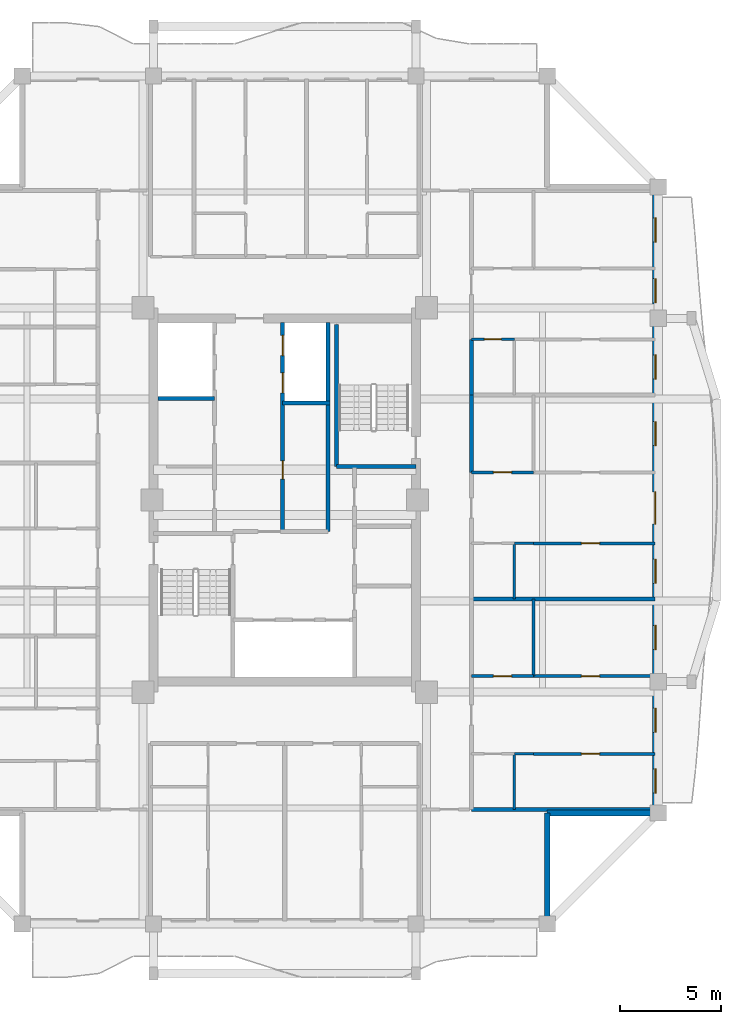
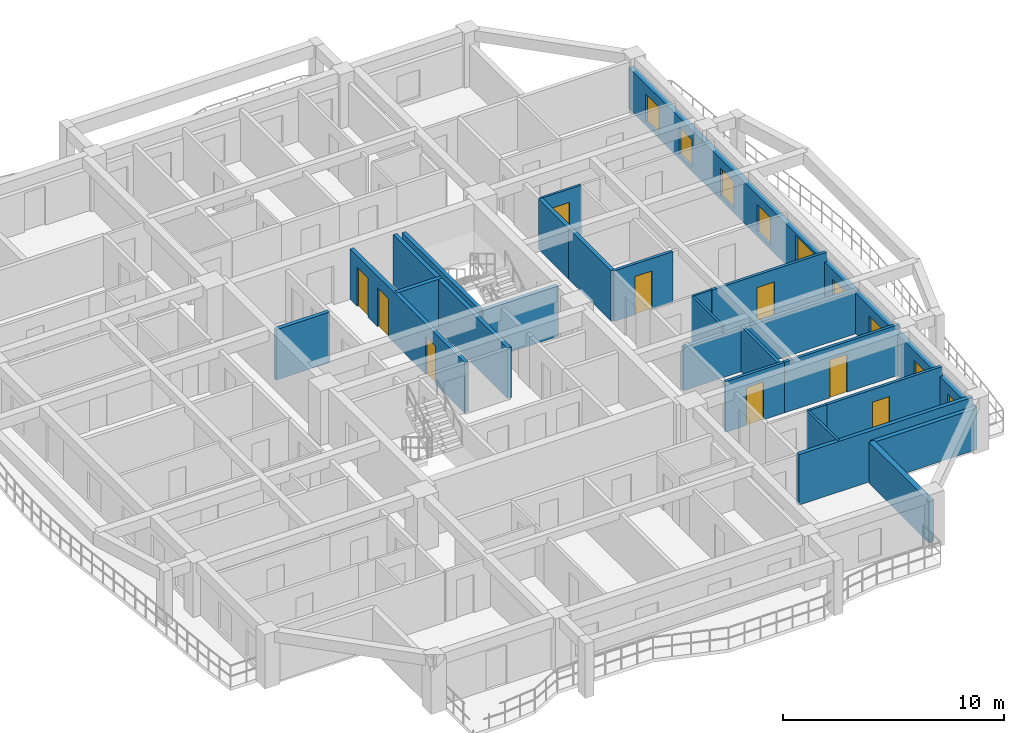
# One storey, part 5 of 13: 25 walls, 10 doors, 8 windows, 18 openings.
"""IFC4 building model written with IfcOpenShell, lengths in metres."""

from ifc_helpers import new_model, si_unit, direction, frame, frame_2d, origin, place, context, subcontext, project, spatial, rectangle, extrude, source, transform, mapped, material, layer, layer_set, type_object, element, fill, save


model = new_model("IFC4")

# Units and contexts
model_context = context("Model", 3, precision=1e-05, world=origin(), true_north=direction((0.0, 1.0)))
body_context = subcontext(model_context, "Body", "Model", "MODEL_VIEW")
ifc_project = project(units=[si_unit("LENGTHUNIT", "METRE"), si_unit("AREAUNIT", "SQUARE_METRE"), si_unit("VOLUMEUNIT", "CUBIC_METRE"), si_unit("PLANEANGLEUNIT", "RADIAN"), si_unit("MASSUNIT", "GRAM", prefix="KILO")], contexts=[model_context])

# Site, building, storey
site_placement = place(None, origin())
site = spatial("IfcSite", under=ifc_project, at=site_placement, CompositionType="ELEMENT")
building_placement = place(site_placement, origin())
building = spatial("IfcBuilding", under=site, at=building_placement, Name="Saelheon Loggia Tower", CompositionType="ELEMENT")
storey_placement = place(building_placement, frame((0.0, 0.0, 199.60009765625)))
storey = spatial("IfcBuildingStorey", under=building, at=storey_placement, Name="L62", CompositionType="ELEMENT", Elevation=199.60009765625)

# Wall, openings, windows, door
ifc_material_1 = material(Name="Architectural Precast Concrete C40/50", Category="concrete")
ifc_layer_1 = layer(ifc_material_1, 0.280029296875)
ifc_layer_set_1 = layer_set([ifc_layer_1], Name="Architectural Precast Concrete C40/50")
wall_type_1 = type_object("IfcWallType", Name="Wall_Ext_Loggia_280", PredefinedType="SOLIDWALL", material=ifc_layer_set_1)
wall_1_placement = place(storey_placement, frame((56.360107421875, 11.5, 0.0), z_axis=(0.0, 0.0, 1.0), x_axis=(0.0, 1.0, 0.0)))
wall_1 = element("IfcWall", 1, at=wall_1_placement, inside=storey, type_object=wall_type_1, Name="L62 East Loggia Inner Wall", PredefinedType="SOLIDWALL", context=body_context, shape_type="SweptSolid", body=[
    extrude(rectangle(XDim=31.0, YDim=0.280029296875, at=frame_2d((15.5, 0.0))), origin(), (0.0, 0.0, 1.0), 2.27978515625),
])
opening_1_placement = place(wall_1_placement, frame((0.985107421875, 0.0, 0.25)))
opening_1 = element("IfcOpeningElement", 2, at=opening_1_placement, cuts=wall_1, Name="Opening WN-03", PredefinedType="OPENING", context=body_context, shape_type="SweptSolid", body=[
    extrude(rectangle(XDim=1.199951171875, YDim=1.5, at=frame_2d((0.60009765625, 0.75))), frame((0.0, 0.152099609375, 0.0), z_axis=(0.0, -1.0, 0.0), x_axis=(1.0, 0.0, 0.0)), (0.0, 0.0, 1.0), 0.303955078125),
])
opening_2_placement = place(wall_1_placement, frame((3.9951171875, 0.0, 0.25)))
opening_2 = element("IfcOpeningElement", 3, at=opening_2_placement, cuts=wall_1, Name="Opening WN-03", PredefinedType="OPENING", context=body_context, shape_type="SweptSolid", body=[
    extrude(rectangle(XDim=1.199951171875, YDim=1.5, at=frame_2d((0.60009765625, 0.75))), frame((0.0, 0.152099609375, 0.0), z_axis=(0.0, -1.0, 0.0), x_axis=(1.0, 0.0, 0.0)), (0.0, 0.0, 1.0), 0.303955078125),
])
opening_3_placement = place(wall_1_placement, frame((8.0888671875, 0.0, 0.25)))
opening_3 = element("IfcOpeningElement", 4, at=opening_3_placement, cuts=wall_1, Name="Opening WN-03", PredefinedType="OPENING", context=body_context, shape_type="SweptSolid", body=[
    extrude(rectangle(XDim=1.199951171875, YDim=1.5, at=frame_2d((0.60009765625, 0.75))), frame((0.0, 0.152099609375, 0.0), z_axis=(0.0, -1.0, 0.0), x_axis=(1.0, 0.0, 0.0)), (0.0, 0.0, 1.0), 0.303955078125),
])
opening_4_placement = place(wall_1_placement, frame((11.37255859375, 0.0, 0.25)))
opening_4 = element("IfcOpeningElement", 5, at=opening_4_placement, cuts=wall_1, Name="Opening WN-03", PredefinedType="OPENING", context=body_context, shape_type="SweptSolid", body=[
    extrude(rectangle(XDim=1.199951171875, YDim=1.5, at=frame_2d((0.60009765625, 0.75))), frame((0.0, 0.152099609375, 0.0), z_axis=(0.0, -1.0, 0.0), x_axis=(1.0, 0.0, 0.0)), (0.0, 0.0, 1.0), 0.303955078125),
])
opening_5_placement = place(wall_1_placement, frame((15.906982421875, 0.0, 0.0), z_axis=(0.0, 0.0, 1.0), x_axis=(-1.0, 0.0, 0.0)))
opening_5 = element("IfcOpeningElement", 6, at=opening_5_placement, cuts=wall_1, Name="Opening DLG-1", PredefinedType="OPENING", context=body_context, shape_type="SweptSolid", body=[
    extrude(rectangle(XDim=1.60009765625, YDim=2.14990234375, at=frame_2d((0.800048828125, 1.074951171875))), frame((0.0, 0.152099609375, 0.0), z_axis=(0.0, -1.0, 0.0), x_axis=(1.0, 0.0, 0.0)), (0.0, 0.0, 1.0), 0.303955078125),
])
opening_6_placement = place(wall_1_placement, frame((18.1875, 0.0, 0.25)))
opening_6 = element("IfcOpeningElement", 7, at=opening_6_placement, cuts=wall_1, Name="Opening WN-03", PredefinedType="OPENING", context=body_context, shape_type="SweptSolid", body=[
    extrude(rectangle(XDim=1.199951171875, YDim=1.5, at=frame_2d((0.60009765625, 0.75))), frame((0.0, 0.152099609375, 0.0), z_axis=(0.0, -1.0, 0.0), x_axis=(1.0, 0.0, 0.0)), (0.0, 0.0, 1.0), 0.303955078125),
])
opening_7_placement = place(wall_1_placement, frame((21.48388671875, 0.0, 0.25)))
opening_7 = element("IfcOpeningElement", 8, at=opening_7_placement, cuts=wall_1, Name="Opening WN-03", PredefinedType="OPENING", context=body_context, shape_type="SweptSolid", body=[
    extrude(rectangle(XDim=1.199951171875, YDim=1.5, at=frame_2d((0.60009765625, 0.75))), frame((0.0, 0.152099609375, 0.0), z_axis=(0.0, -1.0, 0.0), x_axis=(1.0, 0.0, 0.0)), (0.0, 0.0, 1.0), 0.303955078125),
])
opening_8_placement = place(wall_1_placement, frame((25.2587890625, 0.0, 0.25)))
opening_8 = element("IfcOpeningElement", 9, at=opening_8_placement, cuts=wall_1, Name="Opening WN-03", PredefinedType="OPENING", context=body_context, shape_type="SweptSolid", body=[
    extrude(rectangle(XDim=1.199951171875, YDim=1.5, at=frame_2d((0.60009765625, 0.75))), frame((0.0, 0.152099609375, 0.0), z_axis=(0.0, -1.0, 0.0), x_axis=(1.0, 0.0, 0.0)), (0.0, 0.0, 1.0), 0.303955078125),
])
opening_9_placement = place(wall_1_placement, frame((28.268798828125, 0.0, 0.25)))
opening_9 = element("IfcOpeningElement", 10, at=opening_9_placement, cuts=wall_1, Name="Opening WN-03", PredefinedType="OPENING", context=body_context, shape_type="SweptSolid", body=[
    extrude(rectangle(XDim=1.199951171875, YDim=1.5, at=frame_2d((0.60009765625, 0.75))), frame((0.0, 0.152099609375, 0.0), z_axis=(0.0, -1.0, 0.0), x_axis=(1.0, 0.0, 0.0)), (0.0, 0.0, 1.0), 0.303955078125),
])
ifc_material_2 = material(Name="Thermal-Break Aluminium and Triple Low-E Glass", Category="aluminium")
window_type = type_object("IfcWindowType", Name="Win_Bedroom_1200x1500", PartitioningType="SINGLE_PANEL", PredefinedType="WINDOW", material=ifc_material_2)
shared_shape_1 = source(origin(), body_context, "Body", "SweptSolid", [
    extrude(rectangle(XDim=1.199951171875, YDim=1.5, at=frame_2d((0.60009765625, 0.75))), frame((0.0, 0.030029296875, 0.0), z_axis=(0.0, -1.0, 0.0), x_axis=(1.0, 0.0, 0.0)), (0.0, 0.0, 1.0), 0.06005859375),
])
window_1_placement = place(opening_1_placement, origin())
window_1 = element("IfcWindow", 11, at=window_1_placement, inside=storey, type_object=window_type, Name="L62 E Dwelling Window 1", OverallHeight=1.5, OverallWidth=1.199951171875, PartitioningType="SINGLE_PANEL", PredefinedType="WINDOW", context=body_context, shape_type="MappedRepresentation", body=[
    mapped(shared_shape_1, transform((0.0, 0.0, 0.0), scale=1.0)),
])
fill(opening_1, window_1)
window_2_placement = place(opening_2_placement, origin())
window_2 = element("IfcWindow", 12, at=window_2_placement, inside=storey, type_object=window_type, Name="L62 E Dwelling Window 2", OverallHeight=1.5, OverallWidth=1.199951171875, PartitioningType="SINGLE_PANEL", PredefinedType="WINDOW", context=body_context, shape_type="MappedRepresentation", body=[
    mapped(shared_shape_1, transform((0.0, 0.0, 0.0), scale=1.0)),
])
fill(opening_2, window_2)
window_3_placement = place(opening_3_placement, origin())
window_3 = element("IfcWindow", 13, at=window_3_placement, inside=storey, type_object=window_type, Name="L62 E Dwelling Window 3", OverallHeight=1.5, OverallWidth=1.199951171875, PartitioningType="SINGLE_PANEL", PredefinedType="WINDOW", context=body_context, shape_type="MappedRepresentation", body=[
    mapped(shared_shape_1, transform((0.0, 0.0, 0.0), scale=1.0)),
])
fill(opening_3, window_3)
window_4_placement = place(opening_4_placement, origin())
window_4 = element("IfcWindow", 14, at=window_4_placement, inside=storey, type_object=window_type, Name="L62 E Dwelling Window 4", OverallHeight=1.5, OverallWidth=1.199951171875, PartitioningType="SINGLE_PANEL", PredefinedType="WINDOW", context=body_context, shape_type="MappedRepresentation", body=[
    mapped(shared_shape_1, transform((0.0, 0.0, 0.0), scale=1.0)),
])
fill(opening_4, window_4)
window_5_placement = place(opening_6_placement, origin())
window_5 = element("IfcWindow", 15, at=window_5_placement, inside=storey, type_object=window_type, Name="L62 E Dwelling Window 6", OverallHeight=1.5, OverallWidth=1.199951171875, PartitioningType="SINGLE_PANEL", PredefinedType="WINDOW", context=body_context, shape_type="MappedRepresentation", body=[
    mapped(shared_shape_1, transform((0.0, 0.0, 0.0), scale=1.0)),
])
fill(opening_6, window_5)
window_6_placement = place(opening_7_placement, origin())
window_6 = element("IfcWindow", 16, at=window_6_placement, inside=storey, type_object=window_type, Name="L62 E Dwelling Window 7", OverallHeight=1.5, OverallWidth=1.199951171875, PartitioningType="SINGLE_PANEL", PredefinedType="WINDOW", context=body_context, shape_type="MappedRepresentation", body=[
    mapped(shared_shape_1, transform((0.0, 0.0, 0.0), scale=1.0)),
])
fill(opening_7, window_6)
window_7_placement = place(opening_8_placement, origin())
window_7 = element("IfcWindow", 17, at=window_7_placement, inside=storey, type_object=window_type, Name="L62 E Dwelling Window 8", OverallHeight=1.5, OverallWidth=1.199951171875, PartitioningType="SINGLE_PANEL", PredefinedType="WINDOW", context=body_context, shape_type="MappedRepresentation", body=[
    mapped(shared_shape_1, transform((0.0, 0.0, 0.0), scale=1.0)),
])
fill(opening_8, window_7)
window_8_placement = place(opening_9_placement, origin())
window_8 = element("IfcWindow", 18, at=window_8_placement, inside=storey, type_object=window_type, Name="L62 E Dwelling Window 9", OverallHeight=1.5, OverallWidth=1.199951171875, PartitioningType="SINGLE_PANEL", PredefinedType="WINDOW", context=body_context, shape_type="MappedRepresentation", body=[
    mapped(shared_shape_1, transform((0.0, 0.0, 0.0), scale=1.0)),
])
fill(opening_9, window_8)
ifc_material_3 = material(Name="Thermal-Break Aluminium Sliding Glazed Door", Category="aluminium")
door_type_1 = type_object("IfcDoorType", Name="Door_LoggiaSlide_1600", OperationType="SLIDING_TO_LEFT", PredefinedType="DOOR", material=ifc_material_3)
shared_shape_2 = source(origin(), body_context, "Body", "SweptSolid", [
    extrude(rectangle(XDim=1.60009765625, YDim=2.14990234375, at=frame_2d((0.800048828125, 1.074951171875))), frame((0.0, 0.02490234375, 0.0), z_axis=(0.0, -1.0, 0.0), x_axis=(1.0, 0.0, 0.0)), (0.0, 0.0, 1.0), 0.050048828125),
])
door_1_placement = place(opening_5_placement, origin())
door_1 = element("IfcDoor", 19, at=door_1_placement, inside=storey, type_object=door_type_1, Name="L62 E Loggia Access Door", OperationType="SLIDING_TO_LEFT", OverallHeight=2.14990234375, OverallWidth=1.60009765625, PredefinedType="DOOR", context=body_context, shape_type="MappedRepresentation", body=[
    mapped(shared_shape_2, transform((0.0, 0.0, 0.0), scale=1.0)),
])
fill(opening_5, door_1)

# Walls
for number, where, z_axis, x_axis, name in (
    (20, (51.0, 6.080078125, 0.0), (0.0, 0.0, 1.0), (0.0, 1.0, 0.0), "L62 Corner Notch Precast Wall SE1"),
    (21, (51.0, 11.5, 0.0), (0.0, 0.0, 1.0), (1.0, 0.0, 0.0), "L62 Corner Notch Precast Wall SE2"),
):
    element("IfcWall", number, at=place(storey_placement, frame(where, z_axis=z_axis, x_axis=x_axis)), inside=storey, type_object=wall_type_1, Name=name, PredefinedType="SOLIDWALL", context=body_context, shape_type="SweptSolid", body=[
        extrude(rectangle(XDim=5.419921875, YDim=0.280029296875, at=frame_2d((2.7099609375, 0.0))), origin(), (0.0, 0.0, 1.0), 2.27978515625),
    ])
ifc_material_4 = material(Name="Lightweight Autoclaved Aerated Concrete Block and Acoustic Gypsum", Category="concrete")
ifc_layer_2 = layer(ifc_material_4, 0.14990234375)
ifc_layer_set_2 = layer_set([ifc_layer_2], Name="Lightweight Autoclaved Aerated Concrete Block and Acoustic Gypsum")
wall_type_2 = type_object("IfcWallType", Name="Wall_Part_150", PredefinedType="PARTITIONING", material=ifc_layer_set_2)
wall_2_placement = place(storey_placement, frame((50.330078125, 18.280029296875, 0.0), z_axis=(0.0, 0.0, 1.0), x_axis=(0.0, 1.0, 0.0)))
element("IfcWall", 22, at=wall_2_placement, inside=storey, type_object=wall_type_2, Name="L62 E Partition V07", PredefinedType="PARTITIONING", context=body_context, shape_type="SweptSolid", body=[
    extrude(rectangle(XDim=3.817626953125, YDim=0.14990234375, at=frame_2d((1.90869140625, 0.0))), origin(), (0.0, 0.0, 1.0), 2.489990234375),
])

# Wall, opening, door
wall_3_placement = place(storey_placement, frame((50.330078125, 14.429931640625, 0.0), z_axis=(0.0, 0.0, 1.0), x_axis=(1.0, 0.0, 0.0)))
wall_3 = element("IfcWall", 23, at=wall_3_placement, inside=storey, type_object=wall_type_2, Name="L62 E Partition U10", PredefinedType="PARTITIONING", context=body_context, shape_type="SweptSolid", body=[
    extrude(rectangle(XDim=6.02001953125, YDim=0.14990234375, at=frame_2d((3.010009765625, 0.0))), origin(), (0.0, 0.0, 1.0), 2.789794921875),
])
opening_10_placement = place(wall_3_placement, frame((2.36669921875, 0.0, 0.0)))
opening_10 = element("IfcOpeningElement", 24, at=opening_10_placement, cuts=wall_3, Name="Opening D-IN2", PredefinedType="OPENING", context=body_context, shape_type="SweptSolid", body=[
    extrude(rectangle(XDim=0.89990234375, YDim=2.10009765625, at=frame_2d((0.449951171875, 1.050048828125))), frame((0.0, 0.0869140625, 0.0), z_axis=(0.0, -1.0, 0.0), x_axis=(1.0, 0.0, 0.0)), (0.0, 0.0, 1.0), 0.173828125),
])
ifc_material_5 = material(Name="Engineered Oak Flush Door", Category="timber")
door_type_2 = type_object("IfcDoorType", Name="Door_Int_900", OperationType="NOTDEFINED", PredefinedType="DOOR", material=ifc_material_5)
shared_shape_3 = source(origin(), body_context, "Body", "SweptSolid", [
    extrude(rectangle(XDim=0.89990234375, YDim=2.10009765625, at=frame_2d((0.449951171875, 1.050048828125))), frame((0.0, 0.02490234375, 0.0), z_axis=(0.0, -1.0, 0.0), x_axis=(1.0, 0.0, 0.0)), (0.0, 0.0, 1.0), 0.050048828125),
])
door_2_placement = place(opening_10_placement, origin())
door_2 = element("IfcDoor", 25, at=door_2_placement, inside=storey, type_object=door_type_2, Name="Unit U09 Kitchen Door", OperationType="SINGLE_SWING_LEFT", OverallHeight=2.10009765625, OverallWidth=0.89990234375, PredefinedType="DOOR", context=body_context, shape_type="MappedRepresentation", body=[
    mapped(shared_shape_3, transform((0.0, 0.0, 0.0), scale=1.0)),
])
fill(opening_10, door_2)

wall_4_placement = place(storey_placement, frame((47.25, 18.280029296875, 0.0), z_axis=(0.0, 0.0, 1.0), x_axis=(1.0, 0.0, 0.0)))
wall_4 = element("IfcWall", 26, at=wall_4_placement, inside=storey, type_object=wall_type_2, Name="L62 E Partition U11", PredefinedType="PARTITIONING", context=body_context, shape_type="SweptSolid", body=[
    extrude(rectangle(XDim=3.080078125, YDim=0.14990234375, at=frame_2d((1.5400390625, 0.0))), origin(), (0.0, 0.0, 1.0), 2.789794921875),
])
opening_11_placement = place(wall_4_placement, frame((1.090087890625, 0.0, 0.0)))
opening_11 = element("IfcOpeningElement", 27, at=opening_11_placement, cuts=wall_4, Name="Opening D-IN2", PredefinedType="OPENING", context=body_context, shape_type="SweptSolid", body=[
    extrude(rectangle(XDim=0.89990234375, YDim=2.10009765625, at=frame_2d((0.449951171875, 1.050048828125))), frame((0.0, 0.0869140625, 0.0), z_axis=(0.0, -1.0, 0.0), x_axis=(1.0, 0.0, 0.0)), (0.0, 0.0, 1.0), 0.173828125),
])
door_3_placement = place(opening_11_placement, origin())
door_3 = element("IfcDoor", 28, at=door_3_placement, inside=storey, type_object=door_type_2, Name="Unit U09 Home Office Door", OperationType="SINGLE_SWING_RIGHT", OverallHeight=2.10009765625, OverallWidth=0.89990234375, PredefinedType="DOOR", context=body_context, shape_type="MappedRepresentation", body=[
    mapped(shared_shape_3, transform((0.0, 0.0, 0.0), scale=1.0)),
])
fill(opening_11, door_3)

wall_5_placement = place(storey_placement, frame((50.330078125, 18.280029296875, 0.0), z_axis=(0.0, 0.0, 1.0), x_axis=(1.0, 0.0, 0.0)))
wall_5 = element("IfcWall", 29, at=wall_5_placement, inside=storey, type_object=wall_type_2, Name="L62 E Partition U12", PredefinedType="PARTITIONING", context=body_context, shape_type="SweptSolid", body=[
    extrude(rectangle(XDim=6.02001953125, YDim=0.14990234375, at=frame_2d((3.010009765625, 0.0))), origin(), (0.0, 0.0, 1.0), 2.789794921875),
])
opening_12_placement = place(wall_5_placement, frame((2.36669921875, 0.0, 0.0)))
opening_12 = element("IfcOpeningElement", 30, at=opening_12_placement, cuts=wall_5, Name="Opening D-IN2", PredefinedType="OPENING", context=body_context, shape_type="SweptSolid", body=[
    extrude(rectangle(XDim=0.89990234375, YDim=2.10009765625, at=frame_2d((0.449951171875, 1.050048828125))), frame((0.0, 0.0869140625, 0.0), z_axis=(0.0, -1.0, 0.0), x_axis=(1.0, 0.0, 0.0)), (0.0, 0.0, 1.0), 0.173828125),
])
door_4_placement = place(opening_12_placement, origin())
door_4 = element("IfcDoor", 31, at=door_4_placement, inside=storey, type_object=door_type_2, Name="Unit U09 Bedroom 1 Door", OperationType="SINGLE_SWING_LEFT", OverallHeight=2.10009765625, OverallWidth=0.89990234375, PredefinedType="DOOR", context=body_context, shape_type="MappedRepresentation", body=[
    mapped(shared_shape_3, transform((0.0, 0.0, 0.0), scale=1.0)),
])
fill(opening_12, door_4)

wall_6_placement = place(storey_placement, frame((50.330078125, 24.84765625, 0.0), z_axis=(0.0, 0.0, 1.0), x_axis=(1.0, 0.0, 0.0)))
wall_6 = element("IfcWall", 32, at=wall_6_placement, inside=storey, type_object=wall_type_2, Name="L62 E Partition U21", PredefinedType="PARTITIONING", context=body_context, shape_type="SweptSolid", body=[
    extrude(rectangle(XDim=6.02001953125, YDim=0.14990234375, at=frame_2d((3.010009765625, 0.0))), origin(), (0.0, 0.0, 1.0), 2.789794921875),
])
opening_13_placement = place(wall_6_placement, frame((2.36669921875, 0.0, 0.0)))
opening_13 = element("IfcOpeningElement", 33, at=opening_13_placement, cuts=wall_6, Name="Opening D-IN2", PredefinedType="OPENING", context=body_context, shape_type="SweptSolid", body=[
    extrude(rectangle(XDim=0.89990234375, YDim=2.10009765625, at=frame_2d((0.449951171875, 1.050048828125))), frame((0.0, 0.0869140625, 0.0), z_axis=(0.0, -1.0, 0.0), x_axis=(1.0, 0.0, 0.0)), (0.0, 0.0, 1.0), 0.173828125),
])
door_5_placement = place(opening_13_placement, origin())
door_5 = element("IfcDoor", 34, at=door_5_placement, inside=storey, type_object=door_type_2, Name="Unit U10 Kitchen Door", OperationType="SINGLE_SWING_RIGHT", OverallHeight=2.10009765625, OverallWidth=0.89990234375, PredefinedType="DOOR", context=body_context, shape_type="MappedRepresentation", body=[
    mapped(shared_shape_3, transform((0.0, 0.0, 0.0), scale=1.0)),
])
fill(opening_13, door_5)

wall_7_placement = place(storey_placement, frame((47.25, 28.366455078125, 0.0), z_axis=(0.0, 0.0, 1.0), x_axis=(1.0, 0.0, 0.0)))
wall_7 = element("IfcWall", 35, at=wall_7_placement, inside=storey, type_object=wall_type_2, Name="L62 E Partition U22", PredefinedType="PARTITIONING", context=body_context, shape_type="SweptSolid", body=[
    extrude(rectangle(XDim=3.080078125, YDim=0.14990234375, at=frame_2d((1.5400390625, 0.0))), origin(), (0.0, 0.0, 1.0), 2.789794921875),
])
opening_14_placement = place(wall_7_placement, frame((1.090087890625, 0.0, 0.0)))
opening_14 = element("IfcOpeningElement", 36, at=opening_14_placement, cuts=wall_7, Name="Opening D-IN2", PredefinedType="OPENING", context=body_context, shape_type="SweptSolid", body=[
    extrude(rectangle(XDim=0.89990234375, YDim=2.10009765625, at=frame_2d((0.449951171875, 1.050048828125))), frame((0.0, 0.0869140625, 0.0), z_axis=(0.0, -1.0, 0.0), x_axis=(1.0, 0.0, 0.0)), (0.0, 0.0, 1.0), 0.173828125),
])
door_6_placement = place(opening_14_placement, origin())
door_6 = element("IfcDoor", 37, at=door_6_placement, inside=storey, type_object=door_type_2, Name="Unit U10 Home Office Door", OperationType="SINGLE_SWING_LEFT", OverallHeight=2.10009765625, OverallWidth=0.89990234375, PredefinedType="DOOR", context=body_context, shape_type="MappedRepresentation", body=[
    mapped(shared_shape_3, transform((0.0, 0.0, 0.0), scale=1.0)),
])
fill(opening_14, door_6)

# Walls
ifc_material_6 = material(Name="Double Acoustic Stud and Fireboard Partition", Category="gypsum")
ifc_layer_3 = layer(ifc_material_6, 0.199951171875)
ifc_layer_set_3 = layer_set([ifc_layer_3], Name="Double Acoustic Stud and Fireboard Partition")
wall_type_3 = type_object("IfcWallType", Name="Wall_Party_200", PredefinedType="PARTITIONING", material=ifc_layer_set_3)
wall_8_placement = place(storey_placement, frame((47.25, 11.679931640625, 0.0), z_axis=(0.0, 0.0, 1.0), x_axis=(1.0, 0.0, 0.0)))
element("IfcWall", 38, at=wall_8_placement, inside=storey, type_object=wall_type_3, Name="L62 E Partition U01", PredefinedType="PARTITIONING", context=body_context, shape_type="SweptSolid", body=[
    extrude(rectangle(XDim=9.10009765625, YDim=0.199951171875, at=frame_2d((4.550048828125, 0.0))), origin(), (0.0, 0.0, 1.0), 2.789794921875),
])
wall_9_placement = place(storey_placement, frame((47.25, 22.09765625, 0.0), z_axis=(0.0, 0.0, 1.0), x_axis=(1.0, 0.0, 0.0)))
element("IfcWall", 39, at=wall_9_placement, inside=storey, type_object=wall_type_3, Name="L62 E Partition U13", PredefinedType="PARTITIONING", context=body_context, shape_type="SweptSolid", body=[
    extrude(rectangle(XDim=9.10009765625, YDim=0.199951171875, at=frame_2d((4.550048828125, 0.0))), origin(), (0.0, 0.0, 1.0), 2.389892578125),
])
wall_10_placement = place(storey_placement, frame((47.25, 28.366455078125, 0.0), z_axis=(0.0, 0.0, 1.0), x_axis=(0.0, 1.0, 0.0)))
element("IfcWall", 40, at=wall_10_placement, inside=storey, type_object=wall_type_3, Name="L62 E Partition V16", PredefinedType="PARTITIONING", context=body_context, shape_type="SweptSolid", body=[
    extrude(rectangle(XDim=3.84228515625, YDim=0.199951171875, at=frame_2d((1.921142578125, 0.0))), origin(), (0.0, 0.0, 1.0), 2.789794921875),
])
wall_11_placement = place(storey_placement, frame((47.25, 32.208740234375, 0.0), z_axis=(0.0, 0.0, 1.0), x_axis=(0.0, 1.0, 0.0)))
element("IfcWall", 41, at=wall_11_placement, inside=storey, type_object=wall_type_3, Name="L62 E Partition V25", PredefinedType="PARTITIONING", context=body_context, shape_type="SweptSolid", body=[
    extrude(rectangle(XDim=2.75, YDim=0.199951171875, at=frame_2d((1.375, 0.0))), origin(), (0.0, 0.0, 1.0), 2.789794921875),
])
ifc_material_7 = material(Name="Concrete C40/50", Category="concrete")
ifc_layer_4 = layer(ifc_material_7, 0.199951171875)
ifc_layer_set_4 = layer_set([ifc_layer_4], Name="Concrete C40/50")
wall_type_4 = type_object("IfcWallType", Name="Wall_Shaft_200", PredefinedType="PARTITIONING", material=ifc_layer_set_4)
wall_12_placement = place(storey_placement, frame((40.14990234375, 25.43994140625, 0.0), z_axis=(0.0, 0.0, 1.0), x_axis=(0.0, 1.0, 0.0)))
element("IfcWall", 42, at=wall_12_placement, inside=storey, type_object=wall_type_4, Name="L62 Core Service Passage West Wall", PredefinedType="PARTITIONING", context=body_context, shape_type="SweptSolid", body=[
    extrude(rectangle(XDim=6.360107421875, YDim=0.199951171875, at=frame_2d((3.18017578125, 0.0))), origin(), (0.0, 0.0, 1.0), 2.789794921875),
])
wall_13_placement = place(storey_placement, frame((40.14990234375, 31.800048828125, 0.0), z_axis=(0.0, 0.0, 1.0), x_axis=(0.0, 1.0, 0.0)))
element("IfcWall", 43, at=wall_13_placement, inside=storey, type_object=wall_type_4, Name="L62 East High-Rise Hoistway East Wall", PredefinedType="PARTITIONING", context=body_context, shape_type="SweptSolid", body=[
    extrude(rectangle(XDim=3.97998046875, YDim=0.199951171875, at=frame_2d((1.989990234375, 0.0))), origin(), (0.0, 0.0, 1.0), 2.789794921875),
])
wall_14_placement = place(storey_placement, frame((31.719970703125, 32.02001953125, 0.0), z_axis=(0.0, 0.0, 1.0), x_axis=(1.0, 0.0, 0.0)))
element("IfcWall", 44, at=wall_14_placement, inside=storey, type_object=wall_type_4, Name="L62 West High-Rise Shaft Divider", PredefinedType="PARTITIONING", context=body_context, shape_type="SweptSolid", body=[
    extrude(rectangle(XDim=2.800048828125, YDim=0.199951171875, at=frame_2d((1.39990234375, 0.0))), origin(), (0.0, 0.0, 1.0), 2.789794921875),
])

# Wall, openings, doors
wall_15_placement = place(storey_placement, frame((37.89990234375, 25.43994140625, 0.0), z_axis=(0.0, 0.0, 1.0), x_axis=(0.0, 1.0, 0.0)))
wall_15 = element("IfcWall", 45, at=wall_15_placement, inside=storey, type_object=wall_type_4, Name="L62 East Passenger Lift Bank Wall", PredefinedType="PARTITIONING", context=body_context, shape_type="SweptSolid", body=[
    extrude(rectangle(XDim=10.340087890625, YDim=0.199951171875, at=frame_2d((5.169921875, 0.0))), origin(), (0.0, 0.0, 1.0), 2.789794921875),
])
opening_15_placement = place(wall_15_placement, frame((2.60009765625, 0.0, 0.0)))
opening_15 = element("IfcOpeningElement", 46, at=opening_15_placement, cuts=wall_15, Name="Opening D-RS1", PredefinedType="OPENING", context=body_context, shape_type="SweptSolid", body=[
    extrude(rectangle(XDim=0.89990234375, YDim=2.10009765625, at=frame_2d((0.449951171875, 1.050048828125))), frame((0.0, 0.112060546875, 0.0), z_axis=(0.0, -1.0, 0.0), x_axis=(1.0, 0.0, 0.0)), (0.0, 0.0, 1.0), 0.223876953125),
])
opening_16_placement = place(wall_15_placement, frame((6.860107421875, 0.0, 0.0)))
opening_16 = element("IfcOpeningElement", 47, at=opening_16_placement, cuts=wall_15, Name="Opening LD1", PredefinedType="OPENING", context=body_context, shape_type="SweptSolid", body=[
    extrude(rectangle(XDim=1.0, YDim=2.14990234375, at=frame_2d((0.5, 1.074951171875))), frame((0.0, 0.112060546875, 0.0), z_axis=(0.0, -1.0, 0.0), x_axis=(1.0, 0.0, 0.0)), (0.0, 0.0, 1.0), 0.223876953125),
])
opening_17_placement = place(wall_15_placement, frame((8.7099609375, 0.0, 0.0)))
opening_17 = element("IfcOpeningElement", 48, at=opening_17_placement, cuts=wall_15, Name="Opening LD1", PredefinedType="OPENING", context=body_context, shape_type="SweptSolid", body=[
    extrude(rectangle(XDim=1.0, YDim=2.14990234375, at=frame_2d((0.5, 1.074951171875))), frame((0.0, 0.112060546875, 0.0), z_axis=(0.0, -1.0, 0.0), x_axis=(1.0, 0.0, 0.0)), (0.0, 0.0, 1.0), 0.223876953125),
])
ifc_material_8 = material(Name="Galvanised Steel Riser Access Door", Category="steel")
door_type_3 = type_object("IfcDoorType", Name="Door_Riser_FD60", OperationType="NOTDEFINED", PredefinedType="DOOR", material=ifc_material_8)
door_7_placement = place(opening_15_placement, origin())
door_7 = element("IfcDoor", 49, at=door_7_placement, inside=storey, type_object=door_type_3, Name="L62 Upper Storage Room Door", OperationType="SINGLE_SWING_LEFT", OverallHeight=2.10009765625, OverallWidth=0.89990234375, PredefinedType="DOOR", context=body_context, shape_type="MappedRepresentation", body=[
    mapped(shared_shape_3, transform((0.0, 0.0, 0.0), scale=1.0)),
])
fill(opening_15, door_7)
ifc_material_9 = material(Name="Brushed Stainless Steel 304 Landing Door", Category="steel")
door_type_4 = type_object("IfcDoorType", Name="Door_Lift_LD1", OperationType="DOUBLE_DOOR_SLIDING", PredefinedType="DOOR", material=ifc_material_9)
shared_shape_4 = source(origin(), body_context, "Body", "SweptSolid", [
    extrude(rectangle(XDim=1.0, YDim=2.14990234375, at=frame_2d((0.5, 1.074951171875))), frame((0.0, 0.02490234375, 0.0), z_axis=(0.0, -1.0, 0.0), x_axis=(1.0, 0.0, 0.0)), (0.0, 0.0, 1.0), 0.050048828125),
])
door_8_placement = place(opening_16_placement, origin())
door_8 = element("IfcDoor", 50, at=door_8_placement, inside=storey, type_object=door_type_4, Name="L62 PH3 Landing Door", OperationType="DOUBLE_DOOR_SLIDING", OverallHeight=2.14990234375, OverallWidth=1.0, PredefinedType="DOOR", context=body_context, shape_type="MappedRepresentation", body=[
    mapped(shared_shape_4, transform((0.0, 0.0, 0.0), scale=1.0)),
])
fill(opening_16, door_8)
door_9_placement = place(opening_17_placement, origin())
door_9 = element("IfcDoor", 51, at=door_9_placement, inside=storey, type_object=door_type_4, Name="L62 PH4 Landing Door", OperationType="DOUBLE_DOOR_SLIDING", OverallHeight=2.14990234375, OverallWidth=1.0, PredefinedType="DOOR", context=body_context, shape_type="MappedRepresentation", body=[
    mapped(shared_shape_4, transform((0.0, 0.0, 0.0), scale=1.0)),
])
fill(opening_17, door_9)

# Walls
wall_16_placement = place(storey_placement, frame((37.89990234375, 31.800048828125, 0.0), z_axis=(0.0, 0.0, 1.0), x_axis=(1.0, 0.0, 0.0)))
element("IfcWall", 52, at=wall_16_placement, inside=storey, type_object=wall_type_4, Name="L62 East High-Rise Shaft Divider", PredefinedType="PARTITIONING", context=body_context, shape_type="SweptSolid", body=[
    extrude(rectangle(XDim=2.35009765625, YDim=0.199951171875, at=frame_2d((1.175048828125, 0.0))), origin(), (0.0, 0.0, 1.0), 2.789794921875),
])
ifc_material_10 = material(Name="Concrete C45/55", Category="concrete")
ifc_layer_5 = layer(ifc_material_10, 0.199951171875)
ifc_layer_set_5 = layer_set([ifc_layer_5], Name="Concrete C45/55")
wall_type_5 = type_object("IfcWallType", Name="Wall_StairShaft_RC200", PredefinedType="SOLIDWALL", material=ifc_layer_set_5)
wall_17_placement = place(storey_placement, frame((40.570068359375, 28.64990234375, 0.0), z_axis=(0.0, 0.0, 1.0), x_axis=(0.0, 1.0, 0.0)))
element("IfcWall", 53, at=wall_17_placement, inside=storey, type_object=wall_type_5, Name="L62 Stair ST2 Shaft Wall", PredefinedType="SOLIDWALL", context=body_context, shape_type="SweptSolid", body=[
    extrude(rectangle(XDim=7.050048828125, YDim=0.199951171875, at=frame_2d((3.52490234375, 0.0))), origin(), (0.0, 0.0, 1.0), 2.789794921875),
])
wall_18_placement = place(storey_placement, frame((40.570068359375, 28.64990234375, 0.0), z_axis=(0.0, 0.0, 1.0), x_axis=(1.0, 0.0, 0.0)))
element("IfcWall", 54, at=wall_18_placement, inside=storey, type_object=wall_type_5, Name="L62 Stair ST2 South Wall", PredefinedType="SOLIDWALL", context=body_context, shape_type="SweptSolid", body=[
    extrude(rectangle(XDim=3.929931640625, YDim=0.199951171875, at=frame_2d((1.96484375, 0.0))), origin(), (0.0, 0.0, 1.0), 2.789794921875),
])
ifc_material_11 = material(Name="Moisture-Resistant Cement Board Partition", Category="gypsum")
ifc_layer_6 = layer(ifc_material_11, 0.1201171875)
ifc_layer_set_6 = layer_set([ifc_layer_6], Name="Moisture-Resistant Cement Board Partition")
wall_type_6 = type_object("IfcWallType", Name="Wall_WetPart_120", PredefinedType="PARTITIONING", material=ifc_layer_set_6)
wall_19_placement = place(storey_placement, frame((49.3701171875, 11.679931640625, 0.0), z_axis=(0.0, 0.0, 1.0), x_axis=(0.0, 1.0, 0.0)))
element("IfcWall", 55, at=wall_19_placement, inside=storey, type_object=wall_type_6, Name="L62 E Partition V06", PredefinedType="PARTITIONING", context=body_context, shape_type="SweptSolid", body=[
    extrude(rectangle(XDim=2.75, YDim=0.1201171875, at=frame_2d((1.375, 0.0))), origin(), (0.0, 0.0, 1.0), 2.789794921875),
])
wall_20_placement = place(storey_placement, frame((49.3701171875, 14.429931640625, 0.0), z_axis=(0.0, 0.0, 1.0), x_axis=(1.0, 0.0, 0.0)))
element("IfcWall", 56, at=wall_20_placement, inside=storey, type_object=wall_type_6, Name="L62 E Partition U09", PredefinedType="PARTITIONING", context=body_context, shape_type="SweptSolid", body=[
    extrude(rectangle(XDim=0.9599609375, YDim=0.1201171875, at=frame_2d((0.47998046875, 0.0))), origin(), (0.0, 0.0, 1.0), 2.789794921875),
])
wall_21_placement = place(storey_placement, frame((49.3701171875, 22.09765625, 0.0), z_axis=(0.0, 0.0, 1.0), x_axis=(0.0, 1.0, 0.0)))
element("IfcWall", 57, at=wall_21_placement, inside=storey, type_object=wall_type_6, Name="L62 E Partition V17", PredefinedType="PARTITIONING", context=body_context, shape_type="SweptSolid", body=[
    extrude(rectangle(XDim=2.75, YDim=0.1201171875, at=frame_2d((1.375, 0.0))), origin(), (0.0, 0.0, 1.0), 2.789794921875),
])
wall_22_placement = place(storey_placement, frame((49.3701171875, 24.84765625, 0.0), z_axis=(0.0, 0.0, 1.0), x_axis=(1.0, 0.0, 0.0)))
element("IfcWall", 58, at=wall_22_placement, inside=storey, type_object=wall_type_6, Name="L62 E Partition U20", PredefinedType="PARTITIONING", context=body_context, shape_type="SweptSolid", body=[
    extrude(rectangle(XDim=0.9599609375, YDim=0.1201171875, at=frame_2d((0.47998046875, 0.0))), origin(), (0.0, 0.0, 1.0), 2.789794921875),
])

# Wall, opening, door
wall_23_placement = place(storey_placement, frame((47.25, 34.958740234375, 0.0), z_axis=(0.0, 0.0, 1.0), x_axis=(1.0, 0.0, 0.0)))
wall_23 = element("IfcWall", 59, at=wall_23_placement, inside=storey, type_object=wall_type_6, Name="L62 E Partition U30", PredefinedType="PARTITIONING", context=body_context, shape_type="SweptSolid", body=[
    extrude(rectangle(XDim=2.1201171875, YDim=0.1201171875, at=frame_2d((1.06005859375, 0.0))), origin(), (0.0, 0.0, 1.0), 2.789794921875),
])
opening_18_placement = place(wall_23_placement, frame((0.635009765625, 0.0, 0.0)))
opening_18 = element("IfcOpeningElement", 60, at=opening_18_placement, cuts=wall_23, Name="Opening D-BT1", PredefinedType="OPENING", context=body_context, shape_type="SweptSolid", body=[
    extrude(rectangle(XDim=0.85009765625, YDim=2.050048828125, at=frame_2d((0.425048828125, 1.02490234375))), frame((0.0, 0.072021484375, 0.0), z_axis=(0.0, -1.0, 0.0), x_axis=(1.0, 0.0, 0.0)), (0.0, 0.0, 1.0), 0.14404296875),
])
ifc_material_12 = material(Name="Moisture-Resistant Laminate Timber Door", Category="wood")
door_type_5 = type_object("IfcDoorType", Name="Door_Bath_850", OperationType="NOTDEFINED", PredefinedType="DOOR", material=ifc_material_12)
shared_shape_5 = source(origin(), body_context, "Body", "SweptSolid", [
    extrude(rectangle(XDim=0.85009765625, YDim=2.050048828125, at=frame_2d((0.425048828125, 1.02490234375))), frame((0.0, 0.02490234375, 0.0), z_axis=(0.0, -1.0, 0.0), x_axis=(1.0, 0.0, 0.0)), (0.0, 0.0, 1.0), 0.050048828125),
])
door_10_placement = place(opening_18_placement, origin())
door_10 = element("IfcDoor", 61, at=door_10_placement, inside=storey, type_object=door_type_5, Name="Unit U11 Bathroom Door", OperationType="SINGLE_SWING_RIGHT", OverallHeight=2.050048828125, OverallWidth=0.85009765625, PredefinedType="DOOR", context=body_context, shape_type="MappedRepresentation", body=[
    mapped(shared_shape_5, transform((0.0, 0.0, 0.0), scale=1.0)),
])
fill(opening_18, door_10)

save(model, "model.ifc")
